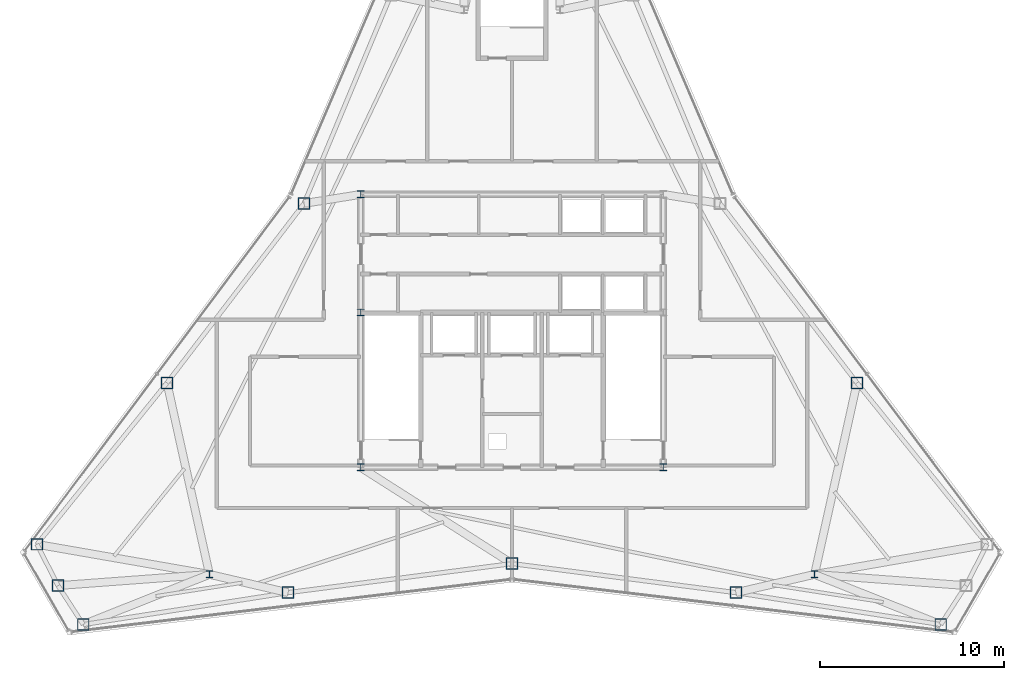
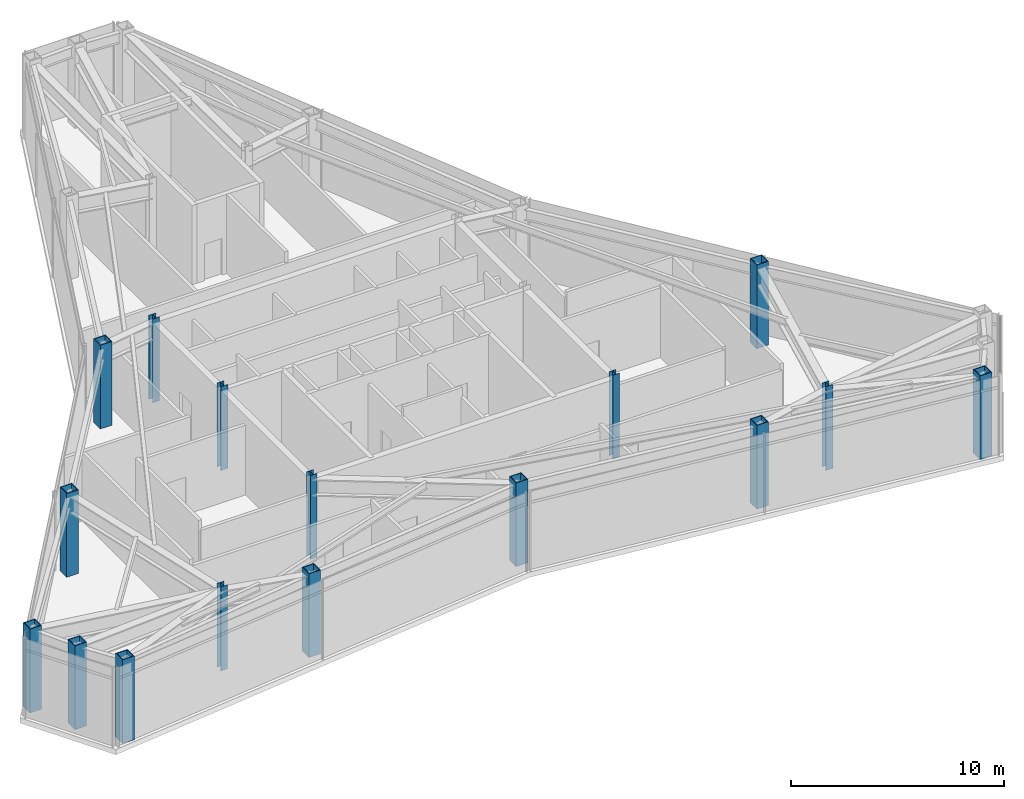
# One storey, part 1 of 11: 16 columns.
"""IFC4 building model written with IfcOpenShell, lengths in metres."""

from ifc_helpers import new_model, si_unit, direction, frame, origin, origin_2d, place, context, subcontext, project, spatial, hollow_rectangle, i_section, extrude, material, material_profile, profile_set, type_object, element, save


model = new_model("IFC4")

# Units and contexts
model_context = context("Model", 3, precision=1e-05, world=origin(), true_north=direction((0.0, 1.0)))
body_context = subcontext(model_context, "Body", "Model", "MODEL_VIEW")
ifc_project = project(units=[si_unit("LENGTHUNIT", "METRE"), si_unit("AREAUNIT", "SQUARE_METRE"), si_unit("VOLUMEUNIT", "CUBIC_METRE"), si_unit("PLANEANGLEUNIT", "RADIAN"), si_unit("MASSUNIT", "GRAM", prefix="KILO")], contexts=[model_context])

# Site, building, storey
site_placement = place(None, origin())
site = spatial("IfcSite", under=ifc_project, at=site_placement, CompositionType="ELEMENT")
building_placement = place(site_placement, origin())
building = spatial("IfcBuilding", under=site, at=building_placement, Name="Varakhsha Concourse Tower", CompositionType="ELEMENT")
storey_placement = place(building_placement, frame((0.0, 0.0, 290.0)))
storey = spatial("IfcBuildingStorey", under=building, at=storey_placement, Name="L82", CompositionType="ELEMENT", Elevation=290.0)

# Columns
ifc_material_1 = material(Name="Structural Steel ASTM A992 Grade 50", Category="steel")
ifc_material_profile_1 = material_profile(ifc_material_1, i_section(OverallWidth=0.3740234375, OverallDepth=0.3720703125, WebThickness=0.01611328125, FlangeThickness=0.02587890625, at=origin_2d()), Name="W14X132")
ifc_profile_set_1 = profile_set([ifc_material_profile_1], Name="Structural Steel ASTM A992 Grade 50")
column_type_1 = type_object("IfcColumnType", Name="CL-CORE-W14X132", PredefinedType="COLUMN", material=ifc_profile_set_1)
for number, where, z_axis, x_axis, name in (
    (1, (31.800048828125, 16.39990234375, 0.0), (0.0, 0.0, 1.0), (1.0, 0.0, 0.0), "L82 Core Column CC-SW"),
    (2, (48.199951171875, 16.39990234375, 0.0), (0.0, 0.0, 1.0), (1.0, 0.0, 0.0), "L82 Core Column CC-SE"),
    (3, (31.800048828125, 24.800048828125, 0.0), (0.0, 0.0, 1.0), (1.0, 0.0, 0.0), "L82 Core Column CC-MW"),
    (4, (31.800048828125, 31.199951171875, 0.0), (0.0, 0.0, 1.0), (1.0, 0.0, 0.0), "L82 Core Column CC-NW"),
    (5, (23.60009765625, 10.60009765625, 0.0), (0.0, 0.0, 1.0), (1.0, 0.0, 0.0), "L82 Core Column SS-W"),
    (6, (56.39990234375, 10.60009765625, 0.0), (0.0, 0.0, 1.0), (1.0, 0.0, 0.0), "L82 Core Column SS-E"),
):
    element("IfcColumn", number, at=place(storey_placement, frame(where, z_axis=z_axis, x_axis=x_axis)), inside=storey, type_object=column_type_1, Name=name, PredefinedType="COLUMN", context=body_context, shape_type="SweptSolid", body=[
        extrude(i_section(OverallWidth=0.3740234375, OverallDepth=0.3720703125, WebThickness=0.01611328125, FlangeThickness=0.02587890625, at=origin_2d()), origin(), (0.0, 0.0, 1.0), 4.800048828125),
    ])
ifc_material_2 = material(Name="Structural Steel ASTM A572 Grade 50", Category="steel")
ifc_material_profile_2 = material_profile(ifc_material_2, hollow_rectangle(XDim=0.639892578125, YDim=0.639892578125, WallThickness=0.044921875, at=origin_2d()), Name="BOX 640x640x45")
ifc_profile_set_2 = profile_set([ifc_material_profile_2], Name="Structural Steel ASTM A572 Grade 50")
column_type_2 = type_object("IfcColumnType", Name="CL-TUBE-640", PredefinedType="COLUMN", material=ifc_profile_set_2)
for number, where, z_axis, x_axis, name in (
    (7, (28.728759765625, 30.70751953125, 0.0), (0.0, 0.0, 1.0), (1.0, 0.0, 0.0), "L82 Framed-Tube Column TC05"),
    (8, (21.294921875, 20.981201171875, 0.0), (0.0, 0.0, 1.0), (1.0, 0.0, 0.0), "L82 Framed-Tube Column TC06"),
    (9, (14.24609375, 12.229736328125, 0.0), (0.0, 0.0, 1.0), (1.0, 0.0, 0.0), "L82 Framed-Tube Column TC07"),
    (10, (15.390380859375, 9.99169921875, 0.0), (0.0, 0.0, 1.0), (1.0, 0.0, 0.0), "L82 Framed-Tube Column TC08"),
    (11, (16.756591796875, 7.881591796875, 0.0), (0.0, 0.0, 1.0), (1.0, 0.0, 0.0), "L82 Framed-Tube Column TC09"),
    (12, (27.85986328125, 9.6103515625, 0.0), (0.0, 0.0, 1.0), (1.0, 0.0, 0.0), "L82 Framed-Tube Column TC10"),
    (13, (40.0, 11.18505859375, 0.0), (0.0, 0.0, 1.0), (1.0, 0.0, 0.0), "L82 Framed-Tube Column TC11"),
    (14, (52.14013671875, 9.6103515625, 0.0), (0.0, 0.0, 1.0), (1.0, 0.0, 0.0), "L82 Framed-Tube Column TC12"),
    (15, (63.243408203125, 7.881591796875, 0.0), (0.0, 0.0, 1.0), (1.0, 0.0, 0.0), "L82 Framed-Tube Column TC13"),
    (16, (58.705078125, 20.981201171875, 0.0), (0.0, 0.0, 1.0), (1.0, 0.0, 0.0), "L82 Framed-Tube Column TC16"),
):
    element("IfcColumn", number, at=place(storey_placement, frame(where, z_axis=z_axis, x_axis=x_axis)), inside=storey, type_object=column_type_2, Name=name, PredefinedType="COLUMN", context=body_context, shape_type="SweptSolid", body=[
        extrude(hollow_rectangle(XDim=0.639892578125, YDim=0.639892578125, WallThickness=0.044921875, at=origin_2d()), origin(), (0.0, 0.0, 1.0), 4.800048828125),
    ])

save(model, "model.ifc")
